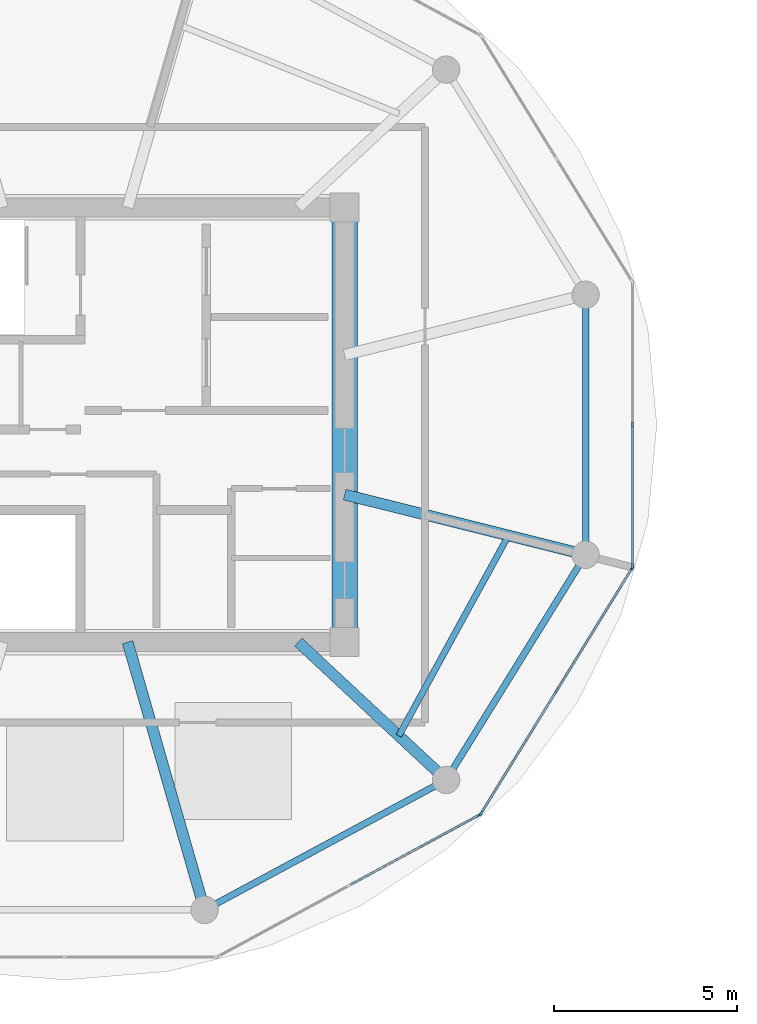
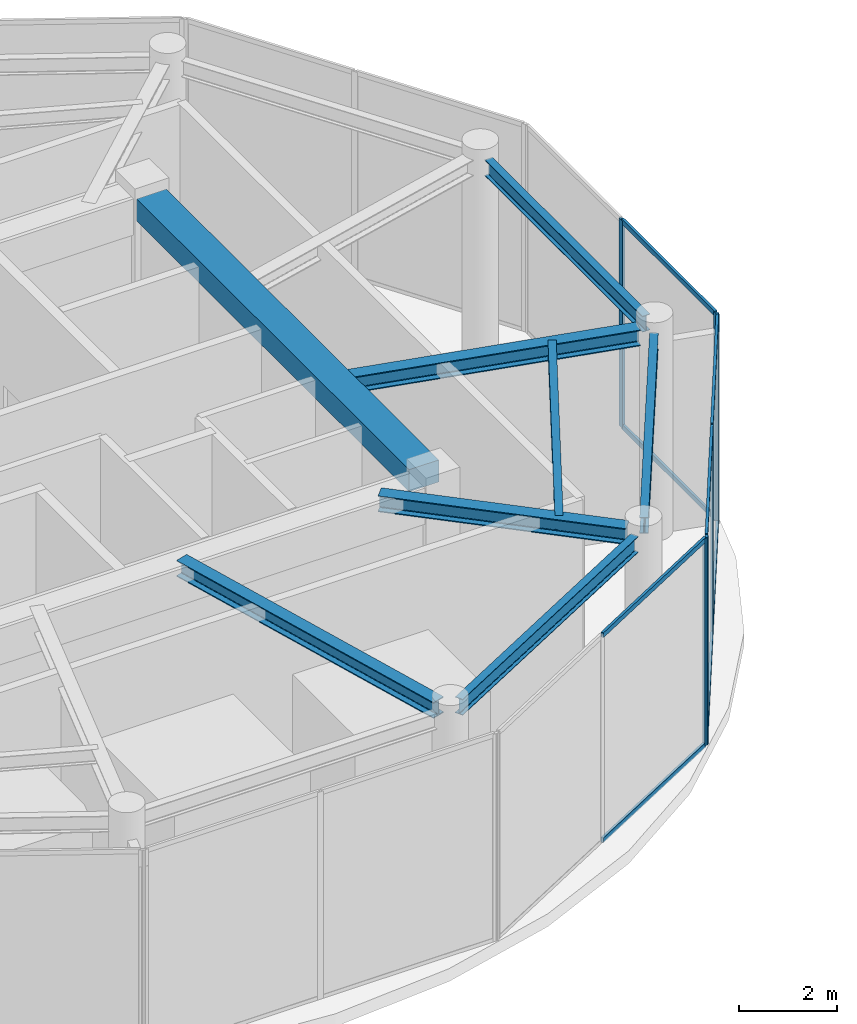
# One storey, part 3 of 15: 14 members, 8 beams, 3 elements without a shape of their own.
"""IFC4 building model written with IfcOpenShell, lengths in metres."""

from ifc_helpers import new_model, si_unit, direction, frame, origin, origin_2d, place, context, subcontext, project, spatial, rectangle, i_section, extrude, source, transform, mapped, material, layer, layer_set, material_profile, profile_set, type_object, type_shapes, element, aggregate, save


model = new_model("IFC4")

# Units and contexts
model_context = context("Model", 3, precision=1e-05, world=origin(), true_north=direction((0.0, 1.0)))
body_context = subcontext(model_context, "Body", "Model", "MODEL_VIEW")
ifc_project = project(units=[si_unit("LENGTHUNIT", "METRE"), si_unit("AREAUNIT", "SQUARE_METRE"), si_unit("VOLUMEUNIT", "CUBIC_METRE"), si_unit("PLANEANGLEUNIT", "RADIAN"), si_unit("MASSUNIT", "GRAM", prefix="KILO")], contexts=[model_context])

# Site, building, storey
site_placement = place(None, origin())
site = spatial("IfcSite", under=ifc_project, at=site_placement, CompositionType="ELEMENT")
building_placement = place(site_placement, origin())
building = spatial("IfcBuilding", under=site, at=building_placement, Name="Norrkilde Senior Care Towers", CompositionType="ELEMENT")
storey_placement = place(building_placement, frame((0.0, 0.0, 244.39990234375)))
storey = spatial("IfcBuildingStorey", under=building, at=storey_placement, Name="L76", CompositionType="ELEMENT", Elevation=244.39990234375)

# Beams
ifc_material_1 = material(Name="Concrete C60/75", Category="concrete")
ifc_material_profile_1 = material_profile(ifc_material_1, rectangle(XDim=0.699951171875, YDim=0.550048828125, at=origin_2d()), Name="RC BM 700x550")
ifc_profile_set_1 = profile_set([ifc_material_profile_1], Name="Concrete C60/75")
beam_type_1 = type_object("IfcBeamType", Name="Core Portal Coupling Beam 700x550", PredefinedType="USERDEFINED", material=ifc_profile_set_1)
shared_shape_1 = source(origin(), body_context, "Body", "SweptSolid", [
    extrude(rectangle(XDim=0.699951171875, YDim=0.550048828125, at=origin_2d()), origin(), (0.0, 0.0, 1.0), 11.14013671875),
])
type_shapes(beam_type_1, [shared_shape_1])
beam_1_placement = place(storey_placement, frame((-20.35009765625, -5.570068359375, 4.900146484375), z_axis=(0.0, 1.0, 0.0), x_axis=(-1.0, 0.0, 0.0)))
element("IfcBeam", 1, at=beam_1_placement, inside=storey, type_object=beam_type_1, Name="L76 Core W E Coupling Girder", ObjectType="GIRDER", PredefinedType="USERDEFINED", context=body_context, shape_type="MappedRepresentation", body=[
    mapped(shared_shape_1, transform((0.0, 0.0, 0.0), x_axis=(1.0, 0.0, 0.0), y_axis=(0.0, 1.0, 0.0), z_axis=(0.0, 0.0, 1.0), scale=1.0)),
])
ifc_material_2 = material(Name="Steel S355", Category="steel")
ifc_material_profile_2 = material_profile(ifc_material_2, i_section(OverallWidth=0.179931640625, OverallDepth=0.39990234375, WebThickness=0.008544921875, FlangeThickness=0.013427734375, FilletRadius=0.02099609375, at=origin_2d()), Name="IPE 400")
ifc_profile_set_2 = profile_set([ifc_material_profile_2], Name="Steel S355")
beam_type_2 = type_object("IfcBeamType", Name="Perimeter Ring Spandrel Z4 IPE400", PredefinedType="SPANDREL", material=ifc_profile_set_2)
shared_shape_2 = source(origin(), body_context, "Body", "SweptSolid", [
    extrude(i_section(OverallWidth=0.179931640625, OverallDepth=0.39990234375, WebThickness=0.008544921875, FlangeThickness=0.013427734375, FilletRadius=0.02099609375, at=origin_2d()), origin(), (0.0, 0.0, 1.0), 6.58056640625),
])
beam_2_placement = place(storey_placement, frame((-17.393798828125, -9.43798828125, 4.97509765625), z_axis=(0.526529583789, 0.850156807533, 0.0), x_axis=(-0.850156807533, 0.526529583789, 0.0)))
element("IfcBeam", 2, at=beam_2_placement, inside=storey, type_object=beam_type_2, Name="L76 Drum W Perimeter Spandrel 11", PredefinedType="SPANDREL", context=body_context, shape_type="MappedRepresentation", body=[
    mapped(shared_shape_2, transform((0.0, 0.0, 0.0), x_axis=(1.0, 0.0, 0.0), y_axis=(0.0, 1.0, 0.0), z_axis=(0.0, 0.0, 1.0), scale=1.0)),
])
ifc_material_profile_3 = material_profile(ifc_material_2, i_section(OverallWidth=0.300048828125, OverallDepth=0.39990234375, WebThickness=0.013427734375, FlangeThickness=0.02392578125, FilletRadius=0.027099609375, at=origin_2d()), Name="HEB 400")
ifc_profile_set_3 = profile_set([ifc_material_profile_3], Name="Steel S355")
beam_type_3 = type_object("IfcBeamType", Name="Radial Floor Beam Z4 HEB400", PredefinedType="BEAM", material=ifc_profile_set_3)
shared_shape_3 = source(origin(), body_context, "Body", "SweptSolid", [
    extrude(i_section(OverallWidth=0.300048828125, OverallDepth=0.39990234375, WebThickness=0.013427734375, FlangeThickness=0.02392578125, FilletRadius=0.027099609375, at=origin_2d()), origin(), (0.0, 0.0, 1.0), 6.465087890625),
])
beam_3_placement = place(storey_placement, frame((-20.35009765625, -1.910888671875, 4.97509765625), z_axis=(0.970195788563, -0.242322371758, 0.0), x_axis=(0.242322371758, 0.970195788563, 0.0)))
element("IfcBeam", 3, at=beam_3_placement, inside=storey, type_object=beam_type_3, Name="L76 Drum W Radial Floor Beam 12", PredefinedType="BEAM", context=body_context, shape_type="MappedRepresentation", body=[
    mapped(shared_shape_3, transform((0.0, 0.0, 0.0), x_axis=(1.0, 0.0, 0.0), y_axis=(0.0, 1.0, 0.0), z_axis=(0.0, 0.0, 1.0), scale=1.0)),
])
shared_shape_4 = source(origin(), body_context, "Body", "SweptSolid", [
    extrude(i_section(OverallWidth=0.179931640625, OverallDepth=0.39990234375, WebThickness=0.008544921875, FlangeThickness=0.013427734375, FilletRadius=0.02099609375, at=origin_2d()), origin(), (0.0, 0.0, 1.0), 6.839111328125),
])
beam_4_placement = place(storey_placement, frame((-23.887451171875, -13.122802734375, 4.97509765625), z_axis=(0.880563930732, 0.473927382511, 0.0), x_axis=(-0.473927382511, 0.880563930732, 0.0)))
element("IfcBeam", 4, at=beam_4_placement, inside=storey, type_object=beam_type_2, Name="L76 Drum W Perimeter Spandrel 10", PredefinedType="SPANDREL", context=body_context, shape_type="MappedRepresentation", body=[
    mapped(shared_shape_4, transform((0.0, 0.0, 0.0), x_axis=(1.0, 0.0, 0.0), y_axis=(0.0, 1.0, 0.0), z_axis=(0.0, 0.0, 1.0), scale=1.0)),
])
shared_shape_5 = source(origin(), body_context, "Body", "SweptSolid", [
    extrude(i_section(OverallWidth=0.300048828125, OverallDepth=0.39990234375, WebThickness=0.013427734375, FlangeThickness=0.02392578125, FilletRadius=0.027099609375, at=origin_2d()), origin(), (0.0, 0.0, 1.0), 5.197998046875),
])
beam_5_placement = place(storey_placement, frame((-21.6171875, -5.949951171875, 4.97509765625), z_axis=(0.731448749334, -0.681896419625, 0.0), x_axis=(0.681896419625, 0.731448749334, 0.0)))
element("IfcBeam", 5, at=beam_5_placement, inside=storey, type_object=beam_type_3, Name="L76 Drum W Radial Floor Beam 11", PredefinedType="BEAM", context=body_context, shape_type="MappedRepresentation", body=[
    mapped(shared_shape_5, transform((0.0, 0.0, 0.0), x_axis=(1.0, 0.0, 0.0), y_axis=(0.0, 1.0, 0.0), z_axis=(0.0, 0.0, 1.0), scale=1.0)),
])
shared_shape_6 = source(origin(), body_context, "Body", "SweptSolid", [
    extrude(i_section(OverallWidth=0.300048828125, OverallDepth=0.39990234375, WebThickness=0.013427734375, FlangeThickness=0.02392578125, FilletRadius=0.027099609375, at=origin_2d()), origin(), (0.0, 0.0, 1.0), 7.29345703125),
])
type_shapes(beam_type_3, [shared_shape_3, shared_shape_5, shared_shape_6])
beam_6_placement = place(storey_placement, frame((-26.289794921875, -5.949951171875, 4.97509765625), z_axis=(0.276263751906, -0.961081858836, 0.0), x_axis=(0.961081858836, 0.276263751906, 0.0)))
element("IfcBeam", 6, at=beam_6_placement, inside=storey, type_object=beam_type_3, Name="L76 Drum W Radial Floor Beam 10", PredefinedType="BEAM", context=body_context, shape_type="MappedRepresentation", body=[
    mapped(shared_shape_6, transform((0.0, 0.0, 0.0), x_axis=(1.0, 0.0, 0.0), y_axis=(0.0, 1.0, 0.0), z_axis=(0.0, 0.0, 1.0), scale=1.0)),
])
shared_shape_7 = source(origin(), body_context, "Body", "SweptSolid", [
    extrude(i_section(OverallWidth=0.179931640625, OverallDepth=0.39990234375, WebThickness=0.008544921875, FlangeThickness=0.013427734375, FilletRadius=0.02099609375, at=origin_2d()), origin(), (0.0, 0.0, 1.0), 6.44775390625),
])
type_shapes(beam_type_2, [shared_shape_2, shared_shape_4, shared_shape_7])
beam_7_placement = place(storey_placement, frame((-13.752685546875, -3.223876953125, 4.97509765625), z_axis=(0.0, 1.0, 0.0), x_axis=(-1.0, 0.0, 0.0)))
element("IfcBeam", 7, at=beam_7_placement, inside=storey, type_object=beam_type_2, Name="L76 Drum W Perimeter Spandrel 12", PredefinedType="SPANDREL", context=body_context, shape_type="MappedRepresentation", body=[
    mapped(shared_shape_7, transform((0.0, 0.0, 0.0), x_axis=(1.0, 0.0, 0.0), y_axis=(0.0, 1.0, 0.0), z_axis=(0.0, 0.0, 1.0), scale=1.0)),
])
ifc_material_profile_4 = material_profile(ifc_material_2, i_section(OverallWidth=0.169921875, OverallDepth=0.360107421875, WebThickness=0.008056640625, FlangeThickness=0.0126953125, FilletRadius=0.01806640625, at=origin_2d()), Name="IPE 360")
ifc_profile_set_4 = profile_set([ifc_material_profile_4], Name="Steel S355")
beam_type_4 = type_object("IfcBeamType", Name="Secondary Floor Joist IPE360", PredefinedType="JOIST", material=ifc_profile_set_4)
shared_shape_8 = source(origin(), body_context, "Body", "SweptSolid", [
    extrude(i_section(OverallWidth=0.169921875, OverallDepth=0.360107421875, WebThickness=0.008056640625, FlangeThickness=0.0126953125, FilletRadius=0.01806640625, at=origin_2d()), origin(), (0.0, 0.0, 1.0), 6.25146484375),
])
type_shapes(beam_type_4, [shared_shape_8])
beam_8_placement = place(storey_placement, frame((-18.865234375, -8.515380859375, 4.9951171875), z_axis=(0.480115752653, 0.877205143655, 0.0), x_axis=(-0.877205143655, 0.480115752653, 0.0)))
element("IfcBeam", 8, at=beam_8_placement, inside=storey, type_object=beam_type_4, Name="L76 Drum W Secondary Floor Joist 4", PredefinedType="JOIST", context=body_context, shape_type="MappedRepresentation", body=[
    mapped(shared_shape_8, transform((0.0, 0.0, 0.0), x_axis=(1.0, 0.0, 0.0), y_axis=(0.0, 1.0, 0.0), z_axis=(0.0, 0.0, 1.0), scale=1.0)),
])

# Curtain wall, member
ifc_material_3 = material(Name="Triple Low-E Insulated Glazing", Category="glass")
ifc_layer = layer(ifc_material_3, 0.205078125)
ifc_layer_set = layer_set([ifc_layer], Name="Triple Low-E Insulated Glazing")
curtain_wall_type = type_object("IfcCurtainWallType", Name="CW7 L76 Damper Lantern Clear Curtain Wall", PredefinedType="NOTDEFINED", material=ifc_layer_set)
curtain_wall_1_placement = place(storey_placement, origin())
curtain_wall_1 = element("IfcCurtainWall", 9, at=curtain_wall_1_placement, inside=storey, type_object=curtain_wall_type, Name="L76 Drum W Curtain Wall 09", PredefinedType="NOTDEFINED")
ifc_material_4 = material(Name="Anodised Aluminium", Category="aluminium")
ifc_material_profile_5 = material_profile(ifc_material_4, rectangle(XDim=0.06005859375, YDim=0.139892578125, at=origin_2d()), Name="ALU MULL 60x140")
ifc_profile_set_5 = profile_set([ifc_material_profile_5], Name="Anodised Aluminium")
member_type_1 = type_object("IfcMemberType", Name="Curtain Wall Mullion Lantern 60x140", PredefinedType="MULLION", material=ifc_profile_set_5)
shared_shape_9 = source(origin(), body_context, "Body", "SweptSolid", [
    extrude(rectangle(XDim=0.06005859375, YDim=0.139892578125, at=origin_2d()), origin(), (0.0, 0.0, 1.0), 5.175048828125),
])
type_shapes(member_type_1, [shared_shape_9])
member_1_placement = place(storey_placement, frame((-16.656005859375, -10.677490234375, 0.0), z_axis=(0.0, 0.0, 1.0), x_axis=(0.476132676136, -0.879373455772, 0.0)))
member_1 = element("IfcMember", 10, at=member_1_placement, type_object=member_type_1, Name="CW-7 mullion 1", PredefinedType="MULLION", context=body_context, shape_type="MappedRepresentation", body=[
    mapped(shared_shape_9, transform((0.0, 0.0, 0.0), x_axis=(1.0, 0.0, 0.0), y_axis=(0.0, 1.0, 0.0), z_axis=(0.0, 0.0, 1.0), scale=1.0)),
])

# Curtain wall, members
curtain_wall_2_placement = place(storey_placement, origin())
curtain_wall_2 = element("IfcCurtainWall", 11, at=curtain_wall_2_placement, inside=storey, type_object=curtain_wall_type, Name="L76 Drum W Curtain Wall 10", PredefinedType="NOTDEFINED")
member_2_placement = place(storey_placement, frame((-12.483642578125, -3.928466796875, 0.0), z_axis=(0.0, 0.0, 1.0), x_axis=(0.851562727283, -0.524252726748, 0.0)))
member_2 = element("IfcMember", 12, at=member_2_placement, type_object=member_type_1, Name="CW-7 mullion 1", PredefinedType="MULLION", context=body_context, shape_type="MappedRepresentation", body=[
    mapped(shared_shape_9, transform((0.0, 0.0, 0.0), x_axis=(1.0, 0.0, 0.0), y_axis=(0.0, 1.0, 0.0), z_axis=(0.0, 0.0, 1.0), scale=1.0)),
])
member_3_placement = place(storey_placement, frame((-14.548828125, -7.282958984375, 0.0), z_axis=(0.0, 0.0, 1.0), x_axis=(0.851562727283, -0.524252726748, 0.0)))
member_3 = element("IfcMember", 13, at=member_3_placement, type_object=member_type_1, Name="CW-7 mullion 2", PredefinedType="MULLION", context=body_context, shape_type="MappedRepresentation", body=[
    mapped(shared_shape_9, transform((0.0, 0.0, 0.0), x_axis=(1.0, 0.0, 0.0), y_axis=(0.0, 1.0, 0.0), z_axis=(0.0, 0.0, 1.0), scale=1.0)),
])
member_4_placement = place(storey_placement, frame((-16.614013671875, -10.6376953125, 0.0), z_axis=(0.0, 0.0, 1.0), x_axis=(0.851562727283, -0.524252726748, 0.0)))
member_4 = element("IfcMember", 14, at=member_4_placement, type_object=member_type_1, Name="CW-7 mullion 3", PredefinedType="MULLION", context=body_context, shape_type="MappedRepresentation", body=[
    mapped(shared_shape_9, transform((0.0, 0.0, 0.0), x_axis=(1.0, 0.0, 0.0), y_axis=(0.0, 1.0, 0.0), z_axis=(0.0, 0.0, 1.0), scale=1.0)),
])

curtain_wall_3_placement = place(storey_placement, origin())
curtain_wall_3 = element("IfcCurtainWall", 15, at=curtain_wall_3_placement, inside=storey, type_object=curtain_wall_type, Name="L76 Drum W Curtain Wall 11", PredefinedType="NOTDEFINED")
member_5_placement = place(storey_placement, frame((-12.468017578125, 0.0, 0.0), z_axis=(0.0, 0.0, 1.0), x_axis=(1.0, 0.0, 0.0)))
member_5 = element("IfcMember", 16, at=member_5_placement, type_object=member_type_1, Name="CW-7 mullion 2", PredefinedType="MULLION", context=body_context, shape_type="MappedRepresentation", body=[
    mapped(shared_shape_9, transform((0.0, 0.0, 0.0), x_axis=(1.0, 0.0, 0.0), y_axis=(0.0, 1.0, 0.0), z_axis=(0.0, 0.0, 1.0), scale=1.0)),
])
member_6_placement = place(storey_placement, frame((-12.468017578125, -3.873046875, 0.0), z_axis=(0.0, 0.0, 1.0), x_axis=(1.0, 0.0, 0.0)))
member_6 = element("IfcMember", 17, at=member_6_placement, type_object=member_type_1, Name="CW-7 mullion 3", PredefinedType="MULLION", context=body_context, shape_type="MappedRepresentation", body=[
    mapped(shared_shape_9, transform((0.0, 0.0, 0.0), x_axis=(1.0, 0.0, 0.0), y_axis=(0.0, 1.0, 0.0), z_axis=(0.0, 0.0, 1.0), scale=1.0)),
])

# Member
ifc_material_profile_6 = material_profile(ifc_material_4, rectangle(XDim=0.06005859375, YDim=0.1201171875, at=origin_2d()), Name="ALU TRAN 60x120")
ifc_profile_set_6 = profile_set([ifc_material_profile_6], Name="Anodised Aluminium")
member_type_2 = type_object("IfcMemberType", Name="Curtain Wall Transom Typical 60x120", PredefinedType="USERDEFINED", material=ifc_profile_set_6)
shared_shape_10 = source(origin(), body_context, "Body", "SweptSolid", [
    extrude(rectangle(XDim=0.06005859375, YDim=0.1201171875, at=origin_2d()), origin(), (0.0, 0.0, 1.0), 3.87939453125),
])
member_7_placement = place(storey_placement, frame((-12.499267578125, -3.9541015625, 0.030029296875), z_axis=(-0.524290531189, -0.851539452348, 0.0), x_axis=(0.851539452348, -0.524290531189, 0.0)))
member_7 = element("IfcMember", 18, at=member_7_placement, type_object=member_type_2, Name="CW-7 transom 1.1", ObjectType="TRANSOM", PredefinedType="USERDEFINED", context=body_context, shape_type="MappedRepresentation", body=[
    mapped(shared_shape_10, transform((0.0, 0.0, 0.0), x_axis=(1.0, 0.0, 0.0), y_axis=(0.0, 1.0, 0.0), z_axis=(0.0, 0.0, 1.0), scale=1.0)),
])

member_8_placement = place(storey_placement, frame((-12.499267578125, -3.9541015625, 5.14501953125), z_axis=(-0.524290531189, -0.851539452348, 0.0), x_axis=(0.851539452348, -0.524290531189, 0.0)))
member_8 = element("IfcMember", 19, at=member_8_placement, type_object=member_type_2, Name="CW-7 transom 1.2", ObjectType="TRANSOM", PredefinedType="USERDEFINED", context=body_context, shape_type="MappedRepresentation", body=[
    mapped(shared_shape_10, transform((0.0, 0.0, 0.0), x_axis=(1.0, 0.0, 0.0), y_axis=(0.0, 1.0, 0.0), z_axis=(0.0, 0.0, 1.0), scale=1.0)),
])

member_9_placement = place(storey_placement, frame((-14.564453125, -7.30859375, 0.030029296875), z_axis=(-0.524290531189, -0.851539452348, 0.0), x_axis=(0.851539452348, -0.524290531189, 0.0)))
member_9 = element("IfcMember", 20, at=member_9_placement, type_object=member_type_2, Name="CW-7 transom 2.1", ObjectType="TRANSOM", PredefinedType="USERDEFINED", context=body_context, shape_type="MappedRepresentation", body=[
    mapped(shared_shape_10, transform((0.0, 0.0, 0.0), x_axis=(1.0, 0.0, 0.0), y_axis=(0.0, 1.0, 0.0), z_axis=(0.0, 0.0, 1.0), scale=1.0)),
])

member_10_placement = place(storey_placement, frame((-14.564453125, -7.30859375, 5.14501953125), z_axis=(-0.524290531189, -0.851539452348, 0.0), x_axis=(0.851539452348, -0.524290531189, 0.0)))
member_10 = element("IfcMember", 21, at=member_10_placement, type_object=member_type_2, Name="CW-7 transom 2.2", ObjectType="TRANSOM", PredefinedType="USERDEFINED", context=body_context, shape_type="MappedRepresentation", body=[
    mapped(shared_shape_10, transform((0.0, 0.0, 0.0), x_axis=(1.0, 0.0, 0.0), y_axis=(0.0, 1.0, 0.0), z_axis=(0.0, 0.0, 1.0), scale=1.0)),
])

aggregate(curtain_wall_2, [member_2, member_3, member_4, member_7, member_8, member_9, member_10])

shared_shape_11 = source(origin(), body_context, "Body", "SweptSolid", [
    extrude(rectangle(XDim=0.06005859375, YDim=0.1201171875, at=origin_2d()), origin(), (0.0, 0.0, 1.0), 4.0087890625),
])
member_11_placement = place(storey_placement, frame((-16.682373046875, -10.691650390625, 0.030029296875), z_axis=(-0.87937165888, -0.476135994815, 0.0), x_axis=(0.476135994815, -0.87937165888, 0.0)))
member_11 = element("IfcMember", 22, at=member_11_placement, type_object=member_type_2, Name="CW-7 transom 1.1", ObjectType="TRANSOM", PredefinedType="USERDEFINED", context=body_context, shape_type="MappedRepresentation", body=[
    mapped(shared_shape_11, transform((0.0, 0.0, 0.0), x_axis=(1.0, 0.0, 0.0), y_axis=(0.0, 1.0, 0.0), z_axis=(0.0, 0.0, 1.0), scale=1.0)),
])

member_12_placement = place(storey_placement, frame((-16.682373046875, -10.691650390625, 5.14501953125), z_axis=(-0.87937165888, -0.476135994815, 0.0), x_axis=(0.476135994815, -0.87937165888, 0.0)))
member_12 = element("IfcMember", 23, at=member_12_placement, type_object=member_type_2, Name="CW-7 transom 1.2", ObjectType="TRANSOM", PredefinedType="USERDEFINED", context=body_context, shape_type="MappedRepresentation", body=[
    mapped(shared_shape_11, transform((0.0, 0.0, 0.0), x_axis=(1.0, 0.0, 0.0), y_axis=(0.0, 1.0, 0.0), z_axis=(0.0, 0.0, 1.0), scale=1.0)),
])

aggregate(curtain_wall_1, [member_1, member_11, member_12])

shared_shape_12 = source(origin(), body_context, "Body", "SweptSolid", [
    extrude(rectangle(XDim=0.06005859375, YDim=0.1201171875, at=origin_2d()), origin(), (0.0, 0.0, 1.0), 3.81298828125),
])
type_shapes(member_type_2, [shared_shape_10, shared_shape_11, shared_shape_12])
member_13_placement = place(storey_placement, frame((-12.468017578125, -0.030029296875, 0.030029296875), z_axis=(0.0, -1.0, 0.0), x_axis=(1.0, 0.0, 0.0)))
member_13 = element("IfcMember", 24, at=member_13_placement, type_object=member_type_2, Name="CW-7 transom 2.1", ObjectType="TRANSOM", PredefinedType="USERDEFINED", context=body_context, shape_type="MappedRepresentation", body=[
    mapped(shared_shape_12, transform((0.0, 0.0, 0.0), x_axis=(1.0, 0.0, 0.0), y_axis=(0.0, 1.0, 0.0), z_axis=(0.0, 0.0, 1.0), scale=1.0)),
])

member_14_placement = place(storey_placement, frame((-12.468017578125, -0.030029296875, 5.14501953125), z_axis=(0.0, -1.0, 0.0), x_axis=(1.0, 0.0, 0.0)))
member_14 = element("IfcMember", 25, at=member_14_placement, type_object=member_type_2, Name="CW-7 transom 2.2", ObjectType="TRANSOM", PredefinedType="USERDEFINED", context=body_context, shape_type="MappedRepresentation", body=[
    mapped(shared_shape_12, transform((0.0, 0.0, 0.0), x_axis=(1.0, 0.0, 0.0), y_axis=(0.0, 1.0, 0.0), z_axis=(0.0, 0.0, 1.0), scale=1.0)),
])

aggregate(curtain_wall_3, [member_5, member_6, member_13, member_14])

save(model, "model.ifc")
